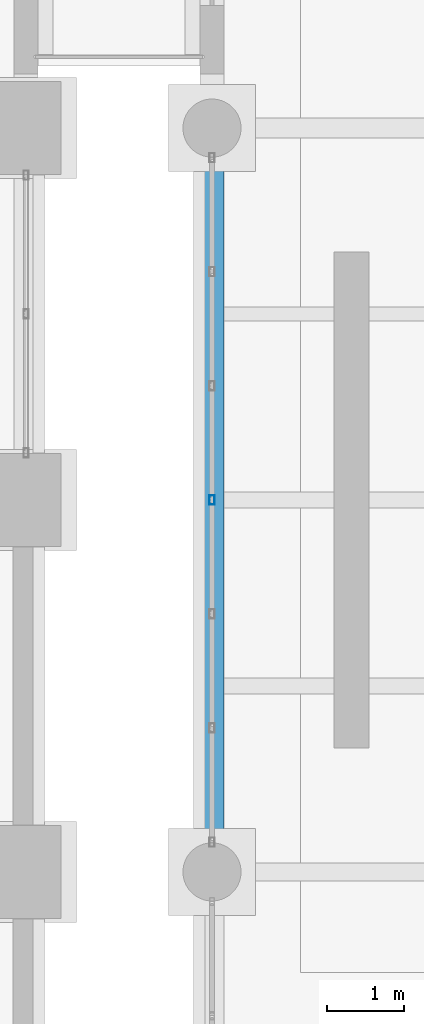
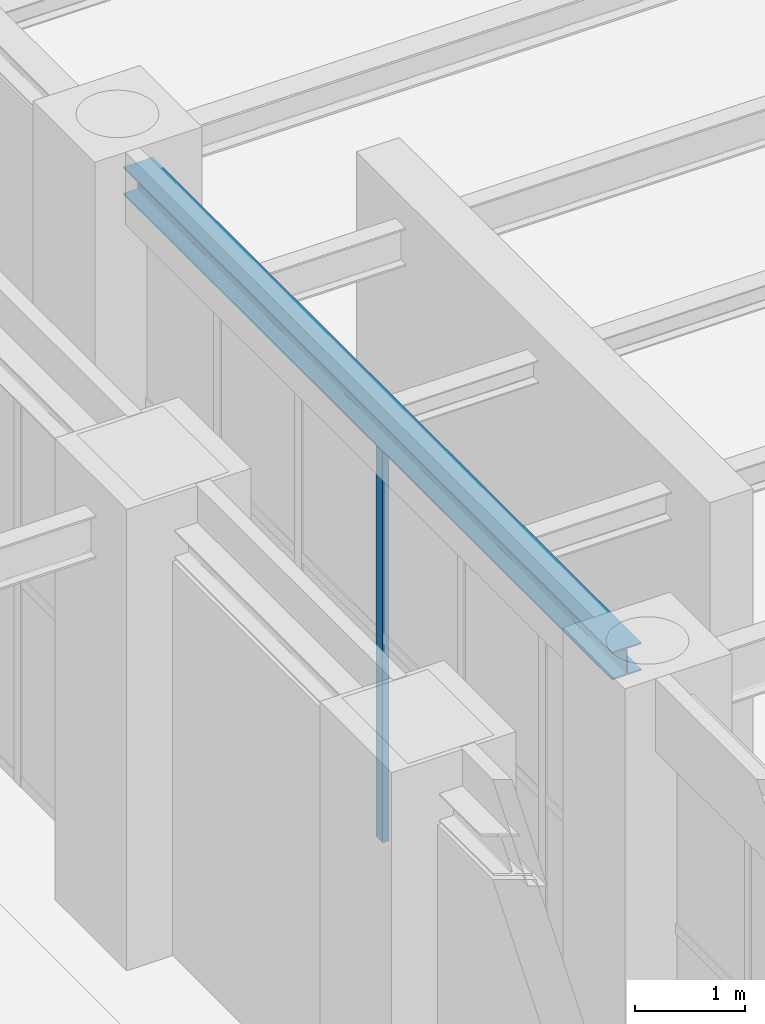
# One storey, part 37 of 174: 1 beam, 1 member, 1 element without a shape of its own.
"""IFC4 building model written with IfcOpenShell, lengths in metres."""

from ifc_helpers import new_model, si_unit, direction, frame, origin, origin_2d, place, context, subcontext, project, spatial, hollow_rectangle, i_section, extrude, material, material_profile, profile_set, type_object, element, aggregate, save


model = new_model("IFC4")

# Units and contexts
model_context = context("Model", 3, precision=1e-05, world=origin(), true_north=direction((0.0, 1.0)))
body_context = subcontext(model_context, "Body", "Model", "MODEL_VIEW")
ifc_project = project(units=[si_unit("LENGTHUNIT", "METRE"), si_unit("AREAUNIT", "SQUARE_METRE"), si_unit("VOLUMEUNIT", "CUBIC_METRE"), si_unit("PLANEANGLEUNIT", "RADIAN"), si_unit("MASSUNIT", "GRAM", prefix="KILO")], contexts=[model_context])

# Site, building, storey
site_placement = place(None, origin())
site = spatial("IfcSite", under=ifc_project, at=site_placement, CompositionType="ELEMENT")
building_placement = place(site_placement, origin())
building = spatial("IfcBuilding", under=site, at=building_placement, Name="Mavantir Sound Aquarium", CompositionType="ELEMENT")
storey_placement = place(building_placement, frame((0.0, 0.0, 5.39990234375)))
storey = spatial("IfcBuildingStorey", under=building, at=storey_placement, Name="L01", CompositionType="ELEMENT", Elevation=5.39990234375)

# Beam
ifc_material_1 = material(Name="Structural Steel ASTM A992 Gr50", Category="steel")
ifc_material_profile_1 = material_profile(ifc_material_1, i_section(OverallWidth=0.304931640625, OverallDepth=0.30810546875, WebThickness=0.010009765625, FlangeThickness=0.015380859375, FilletRadius=0.014892578125, at=origin_2d()), Name="W310X97")
ifc_profile_set_1 = profile_set([ifc_material_profile_1], Name="Structural Steel ASTM A992 Gr50")
beam_type = type_object("IfcBeamType", Name="BM-W310X97-E", PredefinedType="SPANDREL", material=ifc_profile_set_1)
beam_placement = place(storey_placement, frame((36.0, 50.77490234375, 4.64208984375), z_axis=(0.0, 1.0, 0.0), x_axis=(-1.0, 0.0, 0.0)))
element("IfcBeam", 1, at=beam_placement, inside=storey, type_object=beam_type, Name="L01 primary girder SS-31A 1195", PredefinedType="SPANDREL", context=body_context, shape_type="SweptSolid", body=[
    extrude(i_section(OverallWidth=0.304931640625, OverallDepth=0.30810546875, WebThickness=0.010009765625, FlangeThickness=0.015380859375, FilletRadius=0.014892578125, at=origin_2d()), origin(), (0.0, 0.0, 1.0), 8.85009765625),
])

# Curtain wall, member
ifc_material_2 = material(Name="Anodised Marine Aluminium and Low-E Glass", Category="aluminium")
curtain_wall_type = type_object("IfcCurtainWallType", Name="CW-T14", PredefinedType="USERDEFINED", material=ifc_material_2)
curtain_wall_placement = place(storey_placement, origin())
curtain_wall = element("IfcCurtainWall", 2, at=curtain_wall_placement, inside=storey, type_object=curtain_wall_type, Name="L01 unitised curtain wall CW-14 62", ObjectType="UNITISED GLAZING", PredefinedType="USERDEFINED")
ifc_material_3 = material(Name="Anodised Marine Aluminium 6063-T6", Category="aluminium")
ifc_material_profile_2 = material_profile(ifc_material_3, hollow_rectangle(XDim=0.06494140625, YDim=0.1201171875, WallThickness=0.00390625, at=origin_2d()), Name="ALU-MULLION-120X65")
ifc_profile_set_2 = profile_set([ifc_material_profile_2], Name="Anodised Marine Aluminium 6063-T6")
member_type = type_object("IfcMemberType", Name="CW-MUL-120", PredefinedType="MULLION", material=ifc_profile_set_2)
member_placement = place(storey_placement, frame((36.0, 55.199951171875, 0.0), z_axis=(0.0, 0.0, 1.0), x_axis=(1.0, 0.0, 0.0)))
member = element("IfcMember", 3, at=member_placement, type_object=member_type, Name="CW-L01-062 vertical mullion 4", PredefinedType="MULLION", context=body_context, shape_type="SweptSolid", body=[
    extrude(hollow_rectangle(XDim=0.06494140625, YDim=0.1201171875, WallThickness=0.00390625, at=origin_2d()), origin(), (0.0, 0.0, 1.0), 4.34912109375),
])
aggregate(curtain_wall, [member])

save(model, "model.ifc")
